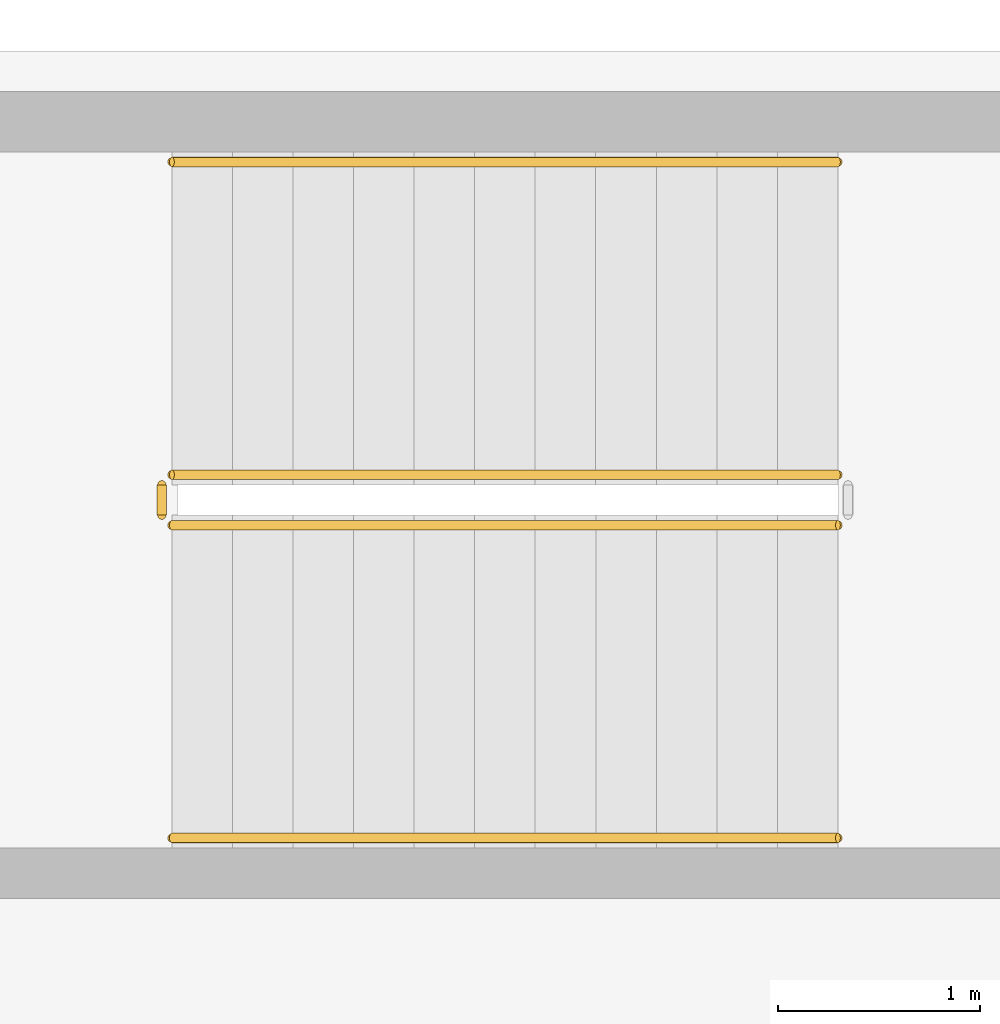
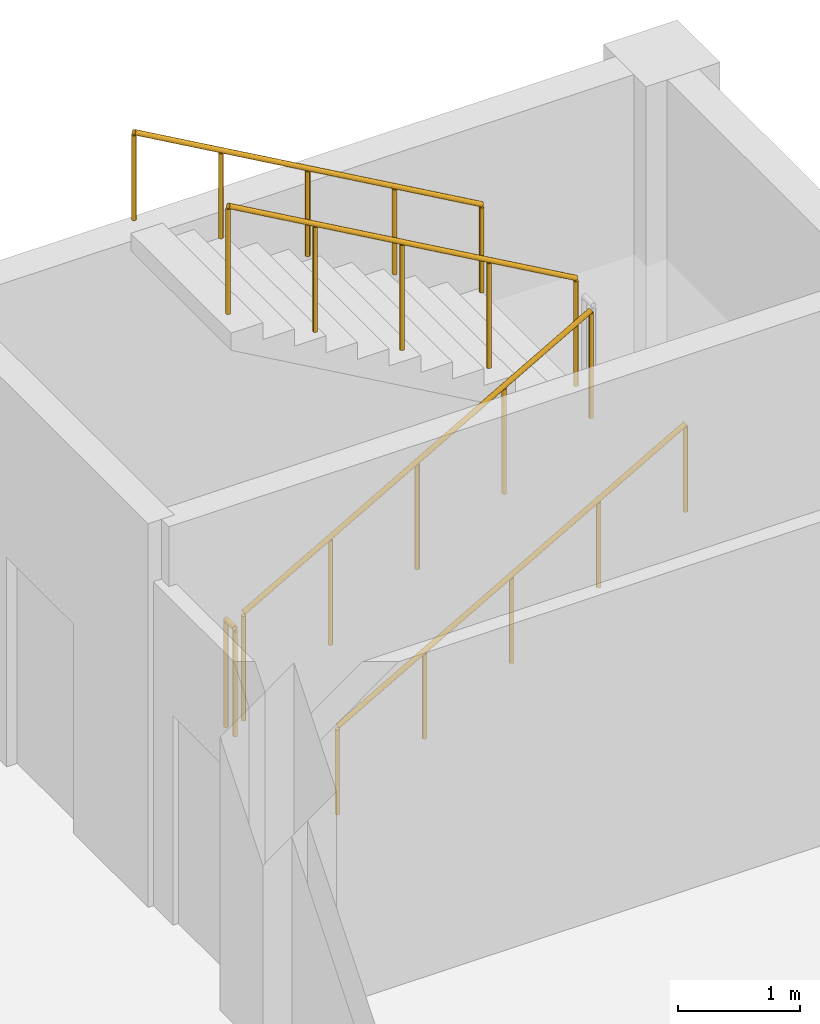
# One storey, part 39 of 42: 5 railings.
"""IFC4 building model written with IfcOpenShell, lengths in metres."""

import ifcopenshell
import ifcopenshell.guid

model = None  # the IFC model being written
_history = None  # IfcOwnerHistory: only IFC2X3 demands one
_inside = {}  # id of a spatial element -> (the spatial element, [elements in it])
_under = {}  # id of a project, library or spatial element -> (it, [spatial elements below it])
_declared = {}  # id of a project -> (the project, [libraries it declares])
_typed = {}  # id of a type object -> (the type object, [elements of that type])
_made_of = {}  # id of a material, layer set ... -> (it, [elements and type objects made of it])


def new_model(schema):
    """Start an empty IFC model of exactly this schema.

    Asked for "IFC4X3", IfcOpenShell would pick the latest addendum, in which some entities
    have other attributes; the version numbers below select the first issue.
    IFC2X3 requires an IfcOwnerHistory on every rooted entity: one is made here for all.
    """
    global model, _history
    if schema == "IFC4X3":
        model = ifcopenshell.file(schema_version=(4, 3, 0, 0))
    else:
        model = ifcopenshell.file(schema=schema)
    _inside.clear()
    _under.clear()
    _declared.clear()
    _typed.clear()
    _made_of.clear()
    _history = None
    if model.schema == "IFC2X3":
        org = make("IfcOrganization", Name="unknown")
        user = make(
            "IfcPersonAndOrganization",
            ThePerson=make("IfcPerson", FamilyName="unknown"),
            TheOrganization=org,
        )
        app = make(
            "IfcApplication",
            ApplicationDeveloper=org,
            Version="unknown",
            ApplicationFullName="unknown",
            ApplicationIdentifier="unknown",
        )
        _history = make(
            "IfcOwnerHistory",
            OwningUser=user,
            OwningApplication=app,
            ChangeAction="ADDED",
            CreationDate=0,
        )
    return model


def make(cls, **values):
    """One entity of the class cls with the attributes given. An attribute that is None is left unset."""
    return model.create_entity(
        cls, **{name: value for name, value in values.items() if value is not None}
    )


def rooted(cls, **values):
    """An entity with a GlobalId (a new one), such as an element, a storey or a relation."""
    return make(cls, GlobalId=ifcopenshell.guid.new(), OwnerHistory=_history, **values)


def si_unit(unit_type, name, prefix=None):
    """IfcSIUnit, for example si_unit("LENGTHUNIT", "METRE", prefix="MILLI")."""
    return make("IfcSIUnit", UnitType=unit_type, Prefix=prefix, Name=name)


def assignment(units):
    """IfcUnitAssignment: the units of a project."""
    return None if units is None else make("IfcUnitAssignment", Units=units)


def point(xyz):
    """IfcCartesianPoint."""
    return None if xyz is None else make("IfcCartesianPoint", Coordinates=xyz)


def direction(xyz):
    """IfcDirection."""
    return None if xyz is None else make("IfcDirection", DirectionRatios=xyz)


def frame(location, z_axis=None, x_axis=None):
    """IfcAxis2Placement3D, a coordinate frame: its origin and axes. An axis left out is left unset."""
    return make(
        "IfcAxis2Placement3D",
        Location=point(location),
        Axis=direction(z_axis),
        RefDirection=direction(x_axis),
    )


def frame_2d(location, x_axis=None):
    """IfcAxis2Placement2D, a coordinate frame in the plane: its origin and x axis."""
    return make(
        "IfcAxis2Placement2D", Location=point(location), RefDirection=direction(x_axis)
    )


def origin():
    """The frame at (0, 0, 0) with its axes left unset."""
    return frame((0.0, 0.0, 0.0))


def origin_2d():
    """The frame at (0, 0) in the plane with its x axis left unset."""
    return frame_2d((0.0, 0.0))


def place(relative_to, where):
    """IfcLocalPlacement: puts the frame where relative to a parent placement (None: the world)."""
    return make(
        "IfcLocalPlacement", PlacementRelTo=relative_to, RelativePlacement=where
    )


def context(
    kind, dimensions, precision=None, world=None, true_north=None, identifier=None
):
    """IfcGeometricRepresentationContext, for example the 3D "Model" context."""
    return make(
        "IfcGeometricRepresentationContext",
        ContextIdentifier=identifier,
        ContextType=kind,
        CoordinateSpaceDimension=dimensions,
        Precision=precision,
        WorldCoordinateSystem=world,
        TrueNorth=true_north,
    )


def subcontext(parent, identifier, kind, view, scale=None):
    """IfcGeometricRepresentationSubContext, for example "Body" below "Model"."""
    return make(
        "IfcGeometricRepresentationSubContext",
        ContextIdentifier=identifier,
        ContextType=kind,
        ParentContext=parent,
        TargetScale=scale,
        TargetView=view,
    )


def project(units=None, contexts=None):
    """IfcProject with its units and contexts."""
    return rooted(
        "IfcProject",
        Name="project",
        RepresentationContexts=contexts,
        UnitsInContext=assignment(units),
    )


def spatial(cls, under=None, at=None, **own):
    """A site, building, storey or space (cls), placed at a placement, below another one or the project."""
    s = rooted(cls, ObjectPlacement=at, **own)
    if under is not None:
        _under.setdefault(under.id(), (under, []))[1].append(s)
    return s


def profile(cls, at=None, kind="AREA", **sizes):
    """A parametric profile (cls). Its sizes go by their IFC names, for example OverallWidth=200.0."""
    return make(cls, ProfileType=kind, Position=at, **sizes)


def circle(**sizes):
    """IfcCircleProfileDef."""
    return profile("IfcCircleProfileDef", **sizes)


def extrude(swept, where, along, depth):
    """IfcExtrudedAreaSolid: the profile swept, set in the frame where, extruded along a direction by depth."""
    return make(
        "IfcExtrudedAreaSolid",
        SweptArea=swept,
        Position=where,
        ExtrudedDirection=direction(along),
        Depth=depth,
    )


def shape(context_of_items, identifier, shape_type, items):
    """IfcShapeRepresentation: the items that make up one representation, for example the "Body"."""
    return make(
        "IfcShapeRepresentation",
        ContextOfItems=context_of_items,
        RepresentationIdentifier=identifier,
        RepresentationType=shape_type,
        Items=items,
    )


def material(Name=None, Category=None):
    """IfcMaterial."""
    return make("IfcMaterial", Name=Name, Category=Category)


def made_of(thing, what):
    """Note that an element or type object is made of a material, layer set ...; save() writes the relation."""
    if what is not None:
        _made_of.setdefault(what.id(), (what, []))[1].append(thing)
    return thing


def type_object(cls, material=None, **own):
    """A type object (cls), such as IfcWallType, which elements share."""
    return made_of(rooted(cls, **own), material)


def element(
    cls,
    number,
    at=None,
    inside=None,
    cuts=None,
    type_object=None,
    material=None,
    context=None,
    identifier="Body",
    shape_type=None,
    held_by="IfcProductDefinitionShape",
    body=None,
    shapes=None,
    **own,
):
    """One element of the class cls, such as IfcWall. Its Tag is "e" and its number.

    at: its placement. inside: the storey or other place that contains it. cuts: it is an
    opening in that element (IfcRelVoidsElement). A single representation is given by context,
    identifier, shape_type and body (its items); several are given by shapes. held_by: the class
    of the entity that holds the representations. save() writes the other relations.
    """
    e = rooted(cls, Tag="e%d" % number, ObjectPlacement=at, **own)
    if body is not None:
        shapes = [shape(context, identifier, shape_type, body)]
    if shapes is not None:
        e.Representation = make(held_by, Representations=shapes)
    if inside is not None:
        _inside.setdefault(inside.id(), (inside, []))[1].append(e)
    if cuts is not None:
        rooted(
            "IfcRelVoidsElement", RelatingBuildingElement=cuts, RelatedOpeningElement=e
        )
    if type_object is not None:
        _typed.setdefault(type_object.id(), (type_object, []))[1].append(e)
    return made_of(e, material)


def aggregate(whole, parts):
    """IfcRelAggregates: a whole, such as a stair, and the parts it consists of."""
    return rooted("IfcRelAggregates", RelatingObject=whole, RelatedObjects=parts)


def save(model, path):
    """Write the relations noted so far, then the file.

    IfcRelAggregates (storeys below a building ...), IfcRelContainedInSpatialStructure (elements
    in a storey), IfcRelDefinesByType, IfcRelAssociatesMaterial and IfcRelDeclares: one each for
    every whole, place, type object, material and project.
    """
    for whole, parts in _under.values():
        aggregate(whole, parts)
    for where, things in _inside.values():
        rooted(
            "IfcRelContainedInSpatialStructure",
            RelatedElements=things,
            RelatingStructure=where,
        )
    for kind, things in _typed.values():
        rooted("IfcRelDefinesByType", RelatedObjects=things, RelatingType=kind)
    for what, things in _made_of.values():
        rooted("IfcRelAssociatesMaterial", RelatedObjects=things, RelatingMaterial=what)
    for by, libraries in _declared.values():
        rooted("IfcRelDeclares", RelatingContext=by, RelatedDefinitions=libraries)
    model.write(path)


model = new_model("IFC4")

# Units and contexts
model_context = context("Model", 3, precision=1e-05, world=origin(), true_north=direction((0.0, 1.0)))
body_context = subcontext(model_context, "Body", "Model", "MODEL_VIEW")
ifc_project = project(units=[si_unit("LENGTHUNIT", "METRE"), si_unit("AREAUNIT", "SQUARE_METRE"), si_unit("VOLUMEUNIT", "CUBIC_METRE"), si_unit("PLANEANGLEUNIT", "RADIAN"), si_unit("MASSUNIT", "GRAM", prefix="KILO")], contexts=[model_context])

# Site, building, storey
site_placement = place(None, origin())
site = spatial("IfcSite", under=ifc_project, at=site_placement, CompositionType="ELEMENT")
building_placement = place(site_placement, origin())
building = spatial("IfcBuilding", under=site, at=building_placement, Name="Corbel Stack Research Tower", CompositionType="ELEMENT")
storey_placement = place(building_placement, frame((0.0, 0.0, 11.300048828125)))
storey = spatial("IfcBuildingStorey", under=building, at=storey_placement, Name="L02", CompositionType="ELEMENT", Elevation=11.300048828125)

# Railings
ifc_material_1 = material(Name="Steel S235", Category="steel")
railing_type_1 = type_object("IfcRailingType", Name="HR1 guard 1100", PredefinedType="GUARDRAIL", material=ifc_material_1)
railing_1_placement = place(storey_placement, frame((95.47509765625, 21.64990234375, 0.1708984375)))
element("IfcRailing", 1, at=railing_1_placement, inside=storey, type_object=railing_type_1, Name="L02 HS2 stair guard 1", PredefinedType="GUARDRAIL", context=body_context, shape_type="SweptSolid", body=[
    extrude(circle(Radius=0.02392578125, at=origin_2d()), frame((0.0, 0.0, 1.076171875), z_axis=(0.868974139896, 0.0, 0.494857498874), x_axis=(0.0, 1.0, 0.0)), (0.0, 0.0, 1.0), 3.79736328125),
    extrude(circle(Radius=0.02099609375, at=origin_2d()), origin(), (0.0, 0.0, 1.0), 1.052001953125),
    extrude(circle(Radius=0.02099609375, at=origin_2d()), frame((0.824951171875, 0.0, 0.4697265625)), (0.0, 0.0, 1.0), 1.052001953125),
    extrude(circle(Radius=0.02099609375, at=origin_2d()), frame((1.64990234375, 0.0, 0.939453125)), (0.0, 0.0, 1.0), 1.052001953125),
    extrude(circle(Radius=0.02099609375, at=origin_2d()), frame((2.474853515625, 0.0, 1.409423828125)), (0.0, 0.0, 1.0), 1.052001953125),
    extrude(circle(Radius=0.02099609375, at=origin_2d()), frame((3.2998046875, 0.0, 1.879150390625)), (0.0, 0.0, 1.0), 1.052001953125),
])
railing_2_placement = place(storey_placement, frame((98.77490234375, 21.89990234375, 2.220703125)))
element("IfcRailing", 2, at=railing_2_placement, inside=storey, type_object=railing_type_1, Name="L02 HS2 stair guard 3", PredefinedType="GUARDRAIL", context=body_context, shape_type="SweptSolid", body=[
    extrude(circle(Radius=0.02392578125, at=origin_2d()), frame((0.0, 0.0, 1.076171875), z_axis=(-0.868974139896, 0.0, 0.494857498874), x_axis=(0.0, -1.0, 0.0)), (0.0, 0.0, 1.0), 3.79736328125),
    extrude(circle(Radius=0.02099609375, at=origin_2d()), origin(), (0.0, 0.0, 1.0), 1.052001953125),
    extrude(circle(Radius=0.02099609375, at=origin_2d()), frame((-0.824951171875, 0.0, 0.4697265625)), (0.0, 0.0, 1.0), 1.052001953125),
    extrude(circle(Radius=0.02099609375, at=origin_2d()), frame((-1.64990234375, 0.0, 0.939453125)), (0.0, 0.0, 1.0), 1.052001953125),
    extrude(circle(Radius=0.02099609375, at=origin_2d()), frame((-2.474853515625, 0.0, 1.409423828125)), (0.0, 0.0, 1.0), 1.052001953125),
    extrude(circle(Radius=0.02099609375, at=origin_2d()), frame((-3.2998046875, 0.0, 1.879150390625)), (0.0, 0.0, 1.0), 1.052001953125),
])
railing_3_placement = place(storey_placement, frame((95.425048828125, 21.699951171875, 0.0)))
element("IfcRailing", 3, at=railing_3_placement, inside=storey, type_object=railing_type_1, Name="L02 HS2 stair guard 4", PredefinedType="GUARDRAIL", context=body_context, shape_type="SweptSolid", body=[
    extrude(circle(Radius=0.02392578125, at=origin_2d()), frame((0.0, 0.0, 1.076171875), z_axis=(0.0, 1.0, 0.0), x_axis=(-1.0, 0.0, 0.0)), (0.0, 0.0, 1.0), 0.150146484375),
    extrude(circle(Radius=0.02099609375, at=origin_2d()), origin(), (0.0, 0.0, 1.0), 1.052001953125),
    extrude(circle(Radius=0.02099609375, at=origin_2d()), frame((0.0, 0.150146484375, 0.0)), (0.0, 0.0, 1.0), 1.052001953125),
])
ifc_material_2 = material(Name="Steel S235", Category="steel")
railing_type_2 = type_object("IfcRailingType", Name="HR2 handrail 900", PredefinedType="HANDRAIL", material=ifc_material_2)
railing_4_placement = place(storey_placement, frame((95.47509765625, 20.10009765625, 0.1708984375)))
element("IfcRailing", 4, at=railing_4_placement, inside=storey, type_object=railing_type_2, Name="L02 HS2 stair handrail 1", PredefinedType="HANDRAIL", context=body_context, shape_type="SweptSolid", body=[
    extrude(circle(Radius=0.02392578125, at=origin_2d()), frame((0.0, 0.0, 0.8759765625), z_axis=(0.868974139896, 0.0, 0.494857498874), x_axis=(0.0, 1.0, 0.0)), (0.0, 0.0, 1.0), 3.79736328125),
    extrude(circle(Radius=0.02099609375, at=origin_2d()), origin(), (0.0, 0.0, 1.0), 0.851806640625),
    extrude(circle(Radius=0.02099609375, at=origin_2d()), frame((0.824951171875, 0.0, 0.4697265625)), (0.0, 0.0, 1.0), 0.851806640625),
    extrude(circle(Radius=0.02099609375, at=origin_2d()), frame((1.64990234375, 0.0, 0.939453125)), (0.0, 0.0, 1.0), 0.851806640625),
    extrude(circle(Radius=0.02099609375, at=origin_2d()), frame((2.474853515625, 0.0, 1.409423828125)), (0.0, 0.0, 1.0), 0.851806640625),
    extrude(circle(Radius=0.02099609375, at=origin_2d()), frame((3.2998046875, 0.0, 1.879150390625)), (0.0, 0.0, 1.0), 0.851806640625),
])
railing_5_placement = place(storey_placement, frame((98.77490234375, 23.449951171875, 2.220703125)))
element("IfcRailing", 5, at=railing_5_placement, inside=storey, type_object=railing_type_2, Name="L02 HS2 stair handrail 2", PredefinedType="HANDRAIL", context=body_context, shape_type="SweptSolid", body=[
    extrude(circle(Radius=0.02392578125, at=origin_2d()), frame((0.0, 0.0, 0.8759765625), z_axis=(-0.868974139896, 0.0, 0.494857498874), x_axis=(0.0, -1.0, 0.0)), (0.0, 0.0, 1.0), 3.79736328125),
    extrude(circle(Radius=0.02099609375, at=origin_2d()), origin(), (0.0, 0.0, 1.0), 0.851806640625),
    extrude(circle(Radius=0.02099609375, at=origin_2d()), frame((-0.824951171875, 0.0, 0.4697265625)), (0.0, 0.0, 1.0), 0.851806640625),
    extrude(circle(Radius=0.02099609375, at=origin_2d()), frame((-1.64990234375, 0.0, 0.939453125)), (0.0, 0.0, 1.0), 0.851806640625),
    extrude(circle(Radius=0.02099609375, at=origin_2d()), frame((-2.474853515625, 0.0, 1.409423828125)), (0.0, 0.0, 1.0), 0.851806640625),
    extrude(circle(Radius=0.02099609375, at=origin_2d()), frame((-3.2998046875, 0.0, 1.879150390625)), (0.0, 0.0, 1.0), 0.851806640625),
])

save(model, "model.ifc")
